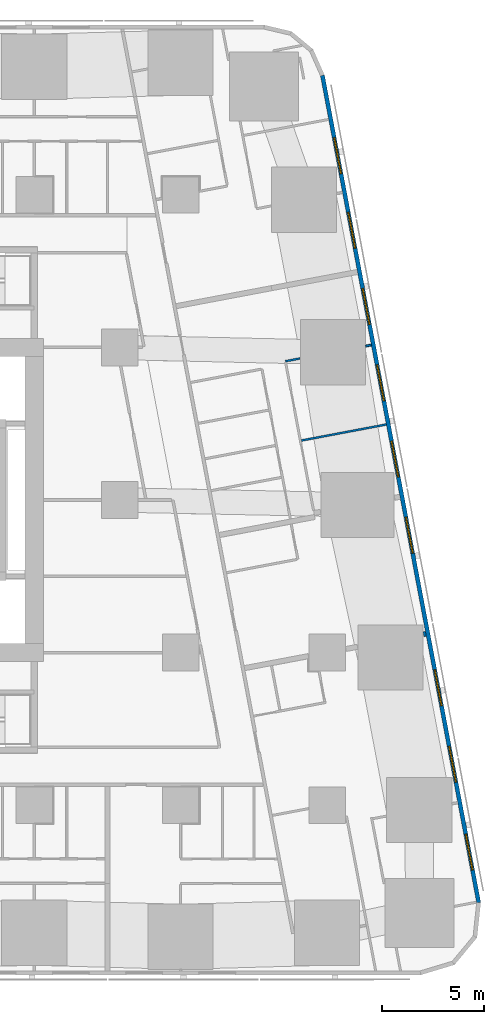
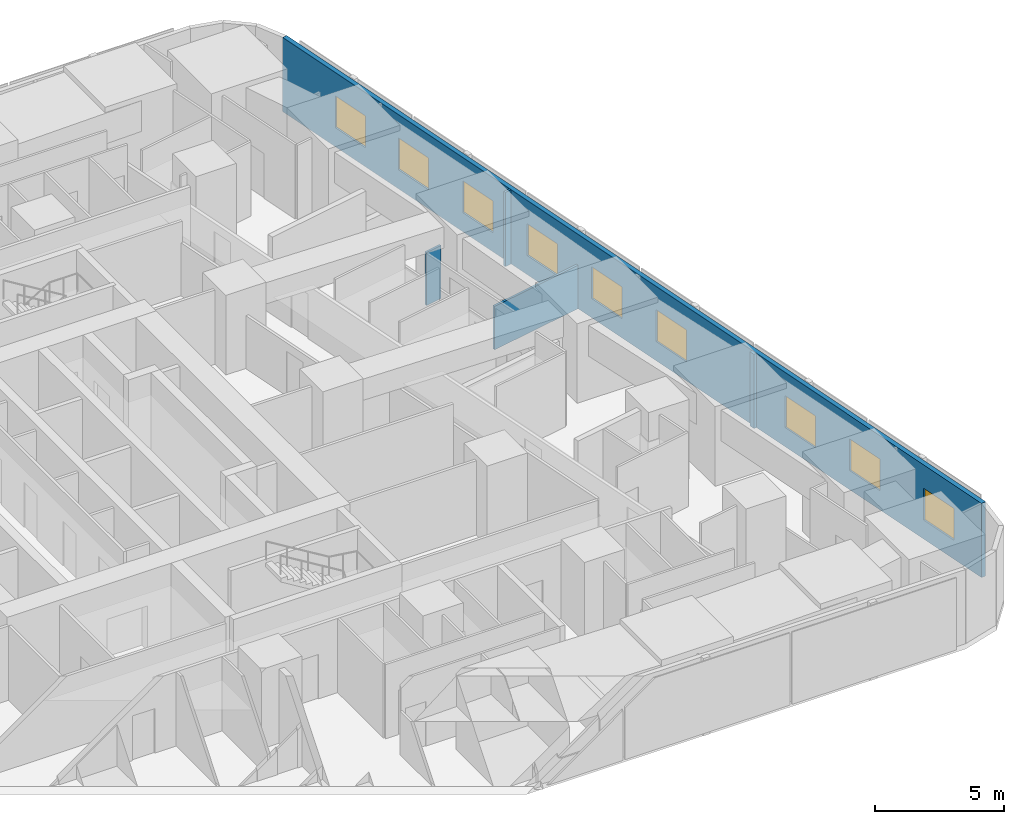
# One storey, part 10 of 17: 9 windows, 5 walls, 9 openings.
"""IFC4 building model written with IfcOpenShell, lengths in metres."""

from ifc_helpers import new_model, si_unit, direction, frame, frame_2d, origin, place, context, subcontext, project, spatial, rectangle, extrude, material, layer, layer_set, type_object, element, fill, save


model = new_model("IFC4")

# Units and contexts
model_context = context("Model", 3, precision=1e-05, world=origin(), true_north=direction((0.0, 1.0)))
body_context = subcontext(model_context, "Body", "Model", "MODEL_VIEW")
ifc_project = project(units=[si_unit("LENGTHUNIT", "METRE"), si_unit("AREAUNIT", "SQUARE_METRE"), si_unit("VOLUMEUNIT", "CUBIC_METRE"), si_unit("PLANEANGLEUNIT", "RADIAN"), si_unit("MASSUNIT", "GRAM", prefix="KILO")], contexts=[model_context])

# Site, building, storey
site_placement = place(None, origin())
site = spatial("IfcSite", under=ifc_project, at=site_placement, CompositionType="ELEMENT")
building_placement = place(site_placement, origin())
building = spatial("IfcBuilding", under=site, at=building_placement, Name="Sheger Commons Tower", CompositionType="ELEMENT")
storey_placement = place(building_placement, frame((0.0, 0.0, 27.5)))
storey = spatial("IfcBuildingStorey", under=building, at=storey_placement, Name="L06", CompositionType="ELEMENT", Elevation=27.5)

# Wall
ifc_material_1 = material(Name="Dense concrete block masonry, plastered both sides (separating wall between flats)", Category="masonry")
ifc_layer_1 = layer(ifc_material_1, 0.25)
ifc_layer_set_1 = layer_set([ifc_layer_1], Name="DEMISING WALL 250")
wall_type_1 = type_object("IfcWallType", Name="DEMISING WALL 250", PredefinedType="SOLIDWALL", material=ifc_layer_set_1)
wall_1_placement = place(storey_placement, frame((48.054931640625, 15.9169921875, 0.0), z_axis=(0.0, 0.0, 1.0), x_axis=(-0.98280243359, -0.184660164975, 0.0)))
element("IfcWall", 1, at=wall_1_placement, inside=storey, type_object=wall_type_1, Name="Demising wall L06", PredefinedType="SOLIDWALL", context=body_context, shape_type="SweptSolid", body=[
    extrude(rectangle(XDim=0.118896484375, YDim=0.25, at=frame_2d((0.0595703125, 0.0))), origin(), (0.0, 0.0, 1.0), 3.5),
])

# Wall, openings, windows
ifc_material_2 = material(Name="Rendered concrete block masonry, dark grey", Category="masonry")
ifc_layer_2 = layer(ifc_material_2, 0.199951171875)
ifc_layer_set_2 = layer_set([ifc_layer_2], Name="FACADE WALL 200")
wall_type_2 = type_object("IfcWallType", Name="FACADE WALL 200", PredefinedType="SOLIDWALL", material=ifc_layer_set_2)
wall_2_placement = place(storey_placement, frame((50.653076171875, 2.702880859375, 0.0), z_axis=(0.0, 0.0, 1.0), x_axis=(-0.185612026696, 0.982623109613, 0.0)))
wall_2 = element("IfcWall", 2, at=wall_2_placement, inside=storey, type_object=wall_type_2, Name="Facade wall L06", PredefinedType="SOLIDWALL", context=body_context, shape_type="SweptSolid", body=[
    extrude(rectangle(XDim=41.393310546875, YDim=0.199951171875, at=frame_2d((20.69677734375, 0.0))), origin(), (0.0, 0.0, 1.0), 3.5),
])
opening_1_placement = place(wall_2_placement, frame((1.633056640625, 0.0, 0.89990234375)))
opening_1 = element("IfcOpeningElement", 3, at=opening_1_placement, cuts=wall_2, Name="Opening W2", PredefinedType="OPENING", context=body_context, shape_type="SweptSolid", body=[
    extrude(rectangle(XDim=1.800048828125, YDim=1.5, at=frame_2d((0.89990234375, 0.75))), frame((0.0, 0.10986328125, 0.0), z_axis=(0.0, -1.0, 0.0), x_axis=(1.0, 0.0, 0.0)), (0.0, 0.0, 1.0), 0.219970703125),
])
opening_2_placement = place(wall_2_placement, frame((6.031982421875, 0.0, 0.89990234375)))
opening_2 = element("IfcOpeningElement", 4, at=opening_2_placement, cuts=wall_2, Name="Opening W2", PredefinedType="OPENING", context=body_context, shape_type="SweptSolid", body=[
    extrude(rectangle(XDim=1.800048828125, YDim=1.5, at=frame_2d((0.89990234375, 0.75))), frame((0.0, 0.10986328125, 0.0), z_axis=(0.0, -1.0, 0.0), x_axis=(1.0, 0.0, 0.0)), (0.0, 0.0, 1.0), 0.219970703125),
])
opening_3_placement = place(wall_2_placement, frame((9.847900390625, 0.0, 0.89990234375)))
opening_3 = element("IfcOpeningElement", 5, at=opening_3_placement, cuts=wall_2, Name="Opening W2", PredefinedType="OPENING", context=body_context, shape_type="SweptSolid", body=[
    extrude(rectangle(XDim=1.800048828125, YDim=1.5, at=frame_2d((0.89990234375, 0.75))), frame((0.0, 0.10986328125, 0.0), z_axis=(0.0, -1.0, 0.0), x_axis=(1.0, 0.0, 0.0)), (0.0, 0.0, 1.0), 0.219970703125),
])
opening_4_placement = place(wall_2_placement, frame((17.48095703125, 0.0, 0.89990234375)))
opening_4 = element("IfcOpeningElement", 6, at=opening_4_placement, cuts=wall_2, Name="Opening W2", PredefinedType="OPENING", context=body_context, shape_type="SweptSolid", body=[
    extrude(rectangle(XDim=1.800048828125, YDim=1.5, at=frame_2d((0.89990234375, 0.75))), frame((0.0, 0.10986328125, 0.0), z_axis=(0.0, -1.0, 0.0), x_axis=(1.0, 0.0, 0.0)), (0.0, 0.0, 1.0), 0.219970703125),
])
opening_5_placement = place(wall_2_placement, frame((21.297119140625, 0.0, 0.89990234375)))
opening_5 = element("IfcOpeningElement", 7, at=opening_5_placement, cuts=wall_2, Name="Opening W2", PredefinedType="OPENING", context=body_context, shape_type="SweptSolid", body=[
    extrude(rectangle(XDim=1.800048828125, YDim=1.5, at=frame_2d((0.89990234375, 0.75))), frame((0.0, 0.10986328125, 0.0), z_axis=(0.0, -1.0, 0.0), x_axis=(1.0, 0.0, 0.0)), (0.0, 0.0, 1.0), 0.219970703125),
])
opening_6_placement = place(wall_2_placement, frame((25.113037109375, 0.0, 0.89990234375)))
opening_6 = element("IfcOpeningElement", 8, at=opening_6_placement, cuts=wall_2, Name="Opening W2", PredefinedType="OPENING", context=body_context, shape_type="SweptSolid", body=[
    extrude(rectangle(XDim=1.800048828125, YDim=1.5, at=frame_2d((0.89990234375, 0.75))), frame((0.0, 0.10986328125, 0.0), z_axis=(0.0, -1.0, 0.0), x_axis=(1.0, 0.0, 0.0)), (0.0, 0.0, 1.0), 0.219970703125),
])
opening_7_placement = place(wall_2_placement, frame((28.929931640625, 0.0, 0.89990234375)))
opening_7 = element("IfcOpeningElement", 9, at=opening_7_placement, cuts=wall_2, Name="Opening W2", PredefinedType="OPENING", context=body_context, shape_type="SweptSolid", body=[
    extrude(rectangle(XDim=1.800048828125, YDim=1.5, at=frame_2d((0.89990234375, 0.75))), frame((0.0, 0.10986328125, 0.0), z_axis=(0.0, -1.0, 0.0), x_axis=(1.0, 0.0, 0.0)), (0.0, 0.0, 1.0), 0.219970703125),
])
opening_8_placement = place(wall_2_placement, frame((32.74609375, 0.0, 0.89990234375)))
opening_8 = element("IfcOpeningElement", 10, at=opening_8_placement, cuts=wall_2, Name="Opening W2", PredefinedType="OPENING", context=body_context, shape_type="SweptSolid", body=[
    extrude(rectangle(XDim=1.800048828125, YDim=1.5, at=frame_2d((0.89990234375, 0.75))), frame((0.0, 0.10986328125, 0.0), z_axis=(0.0, -1.0, 0.0), x_axis=(1.0, 0.0, 0.0)), (0.0, 0.0, 1.0), 0.219970703125),
])
opening_9_placement = place(wall_2_placement, frame((36.48095703125, 0.0, 0.89990234375)))
opening_9 = element("IfcOpeningElement", 11, at=opening_9_placement, cuts=wall_2, Name="Opening W2", PredefinedType="OPENING", context=body_context, shape_type="SweptSolid", body=[
    extrude(rectangle(XDim=1.800048828125, YDim=1.5, at=frame_2d((0.89990234375, 0.75))), frame((0.0, 0.10986328125, 0.0), z_axis=(0.0, -1.0, 0.0), x_axis=(1.0, 0.0, 0.0)), (0.0, 0.0, 1.0), 0.219970703125),
])
ifc_material_3 = material(Name="Black aluminium frame, dark tinted double glazing", Category="aluminium")
window_type = type_object("IfcWindowType", Name="WINDOW W2 1800x1500", PartitioningType="SINGLE_PANEL", PredefinedType="WINDOW", material=ifc_material_3)
window_1_placement = place(opening_1_placement, origin())
window_1 = element("IfcWindow", 12, at=window_1_placement, inside=storey, type_object=window_type, Name="Window W2 1800X1500", OverallHeight=1.5, OverallWidth=1.800048828125, PartitioningType="SINGLE_PANEL", PredefinedType="WINDOW", context=body_context, shape_type="SweptSolid", body=[
    extrude(rectangle(XDim=1.800048828125, YDim=1.5, at=frame_2d((0.89990234375, 0.75))), frame((0.0, 0.030029296875, 0.0), z_axis=(0.0, -1.0, 0.0), x_axis=(1.0, 0.0, 0.0)), (0.0, 0.0, 1.0), 0.06005859375),
])
fill(opening_1, window_1)
window_2_placement = place(opening_2_placement, origin())
window_2 = element("IfcWindow", 13, at=window_2_placement, inside=storey, type_object=window_type, Name="Window W2 1800X1500", OverallHeight=1.5, OverallWidth=1.800048828125, PartitioningType="SINGLE_PANEL", PredefinedType="WINDOW", context=body_context, shape_type="SweptSolid", body=[
    extrude(rectangle(XDim=1.800048828125, YDim=1.5, at=frame_2d((0.89990234375, 0.75))), frame((0.0, 0.030029296875, 0.0), z_axis=(0.0, -1.0, 0.0), x_axis=(1.0, 0.0, 0.0)), (0.0, 0.0, 1.0), 0.06005859375),
])
fill(opening_2, window_2)
window_3_placement = place(opening_3_placement, origin())
window_3 = element("IfcWindow", 14, at=window_3_placement, inside=storey, type_object=window_type, Name="Window W2 1800X1500", OverallHeight=1.5, OverallWidth=1.800048828125, PartitioningType="SINGLE_PANEL", PredefinedType="WINDOW", context=body_context, shape_type="SweptSolid", body=[
    extrude(rectangle(XDim=1.800048828125, YDim=1.5, at=frame_2d((0.89990234375, 0.75))), frame((0.0, 0.030029296875, 0.0), z_axis=(0.0, -1.0, 0.0), x_axis=(1.0, 0.0, 0.0)), (0.0, 0.0, 1.0), 0.06005859375),
])
fill(opening_3, window_3)
window_4_placement = place(opening_4_placement, origin())
window_4 = element("IfcWindow", 15, at=window_4_placement, inside=storey, type_object=window_type, Name="Window W2 1800X1500", OverallHeight=1.5, OverallWidth=1.800048828125, PartitioningType="SINGLE_PANEL", PredefinedType="WINDOW", context=body_context, shape_type="SweptSolid", body=[
    extrude(rectangle(XDim=1.800048828125, YDim=1.5, at=frame_2d((0.89990234375, 0.75))), frame((0.0, 0.030029296875, 0.0), z_axis=(0.0, -1.0, 0.0), x_axis=(1.0, 0.0, 0.0)), (0.0, 0.0, 1.0), 0.06005859375),
])
fill(opening_4, window_4)
window_5_placement = place(opening_5_placement, origin())
window_5 = element("IfcWindow", 16, at=window_5_placement, inside=storey, type_object=window_type, Name="Window W2 1800X1500", OverallHeight=1.5, OverallWidth=1.800048828125, PartitioningType="SINGLE_PANEL", PredefinedType="WINDOW", context=body_context, shape_type="SweptSolid", body=[
    extrude(rectangle(XDim=1.800048828125, YDim=1.5, at=frame_2d((0.89990234375, 0.75))), frame((0.0, 0.030029296875, 0.0), z_axis=(0.0, -1.0, 0.0), x_axis=(1.0, 0.0, 0.0)), (0.0, 0.0, 1.0), 0.06005859375),
])
fill(opening_5, window_5)
window_6_placement = place(opening_6_placement, origin())
window_6 = element("IfcWindow", 17, at=window_6_placement, inside=storey, type_object=window_type, Name="Window W2 1800X1500", OverallHeight=1.5, OverallWidth=1.800048828125, PartitioningType="SINGLE_PANEL", PredefinedType="WINDOW", context=body_context, shape_type="SweptSolid", body=[
    extrude(rectangle(XDim=1.800048828125, YDim=1.5, at=frame_2d((0.89990234375, 0.75))), frame((0.0, 0.030029296875, 0.0), z_axis=(0.0, -1.0, 0.0), x_axis=(1.0, 0.0, 0.0)), (0.0, 0.0, 1.0), 0.06005859375),
])
fill(opening_6, window_6)
window_7_placement = place(opening_7_placement, origin())
window_7 = element("IfcWindow", 18, at=window_7_placement, inside=storey, type_object=window_type, Name="Window W2 1800X1500", OverallHeight=1.5, OverallWidth=1.800048828125, PartitioningType="SINGLE_PANEL", PredefinedType="WINDOW", context=body_context, shape_type="SweptSolid", body=[
    extrude(rectangle(XDim=1.800048828125, YDim=1.5, at=frame_2d((0.89990234375, 0.75))), frame((0.0, 0.030029296875, 0.0), z_axis=(0.0, -1.0, 0.0), x_axis=(1.0, 0.0, 0.0)), (0.0, 0.0, 1.0), 0.06005859375),
])
fill(opening_7, window_7)
window_8_placement = place(opening_8_placement, origin())
window_8 = element("IfcWindow", 19, at=window_8_placement, inside=storey, type_object=window_type, Name="Window W2 1800X1500", OverallHeight=1.5, OverallWidth=1.800048828125, PartitioningType="SINGLE_PANEL", PredefinedType="WINDOW", context=body_context, shape_type="SweptSolid", body=[
    extrude(rectangle(XDim=1.800048828125, YDim=1.5, at=frame_2d((0.89990234375, 0.75))), frame((0.0, 0.030029296875, 0.0), z_axis=(0.0, -1.0, 0.0), x_axis=(1.0, 0.0, 0.0)), (0.0, 0.0, 1.0), 0.06005859375),
])
fill(opening_8, window_8)
window_9_placement = place(opening_9_placement, origin())
window_9 = element("IfcWindow", 20, at=window_9_placement, inside=storey, type_object=window_type, Name="Window W2 1800X1500", OverallHeight=1.5, OverallWidth=1.800048828125, PartitioningType="SINGLE_PANEL", PredefinedType="WINDOW", context=body_context, shape_type="SweptSolid", body=[
    extrude(rectangle(XDim=1.800048828125, YDim=1.5, at=frame_2d((0.89990234375, 0.75))), frame((0.0, 0.030029296875, 0.0), z_axis=(0.0, -1.0, 0.0), x_axis=(1.0, 0.0, 0.0)), (0.0, 0.0, 1.0), 0.06005859375),
])
fill(opening_9, window_9)

# Walls
ifc_material_4 = material(Name="Gypsum board on steel studs", Category="steel")
ifc_layer_3 = layer(ifc_material_4, 0.10009765625)
ifc_layer_set_3 = layer_set([ifc_layer_3], Name="PARTITION 100")
wall_type_3 = type_object("IfcWallType", Name="PARTITION 100", PredefinedType="PARTITIONING", material=ifc_layer_set_3)
wall_3_placement = place(storey_placement, frame((45.3720703125, 30.12109375, 0.0), z_axis=(0.0, 0.0, 1.0), x_axis=(-0.982024635814, -0.188752787143, 0.0)))
element("IfcWall", 21, at=wall_3_placement, inside=storey, type_object=wall_type_3, Name="Partition L06", PredefinedType="PARTITIONING", context=body_context, shape_type="SweptSolid", body=[
    extrude(rectangle(XDim=0.287109375, YDim=0.10009765625, at=frame_2d((0.1435546875, 0.0))), origin(), (0.0, 0.0, 1.0), 3.5),
])
wall_4_placement = place(storey_placement, frame((41.8701171875, 29.458984375, 0.0), z_axis=(0.0, 0.0, 1.0), x_axis=(-0.982532562822, -0.186090738603, 0.0)))
element("IfcWall", 22, at=wall_4_placement, inside=storey, type_object=wall_type_3, Name="Partition L06", PredefinedType="PARTITIONING", context=body_context, shape_type="SweptSolid", body=[
    extrude(rectangle(XDim=0.736083984375, YDim=0.10009765625, at=frame_2d((0.3681640625, 0.0))), origin(), (0.0, 0.0, 1.0), 2.5),
])
wall_5_placement = place(storey_placement, frame((46.110107421875, 26.212890625, 0.0), z_axis=(0.0, 0.0, 1.0), x_axis=(-0.982623519589, -0.185609856287, 0.0)))
element("IfcWall", 23, at=wall_5_placement, inside=storey, type_object=wall_type_3, Name="Partition L06", PredefinedType="PARTITIONING", context=body_context, shape_type="SweptSolid", body=[
    extrude(rectangle(XDim=4.249755859375, YDim=0.10009765625, at=frame_2d((2.125, 0.0))), origin(), (0.0, 0.0, 1.0), 2.050048828125),
])

save(model, "model.ifc")
